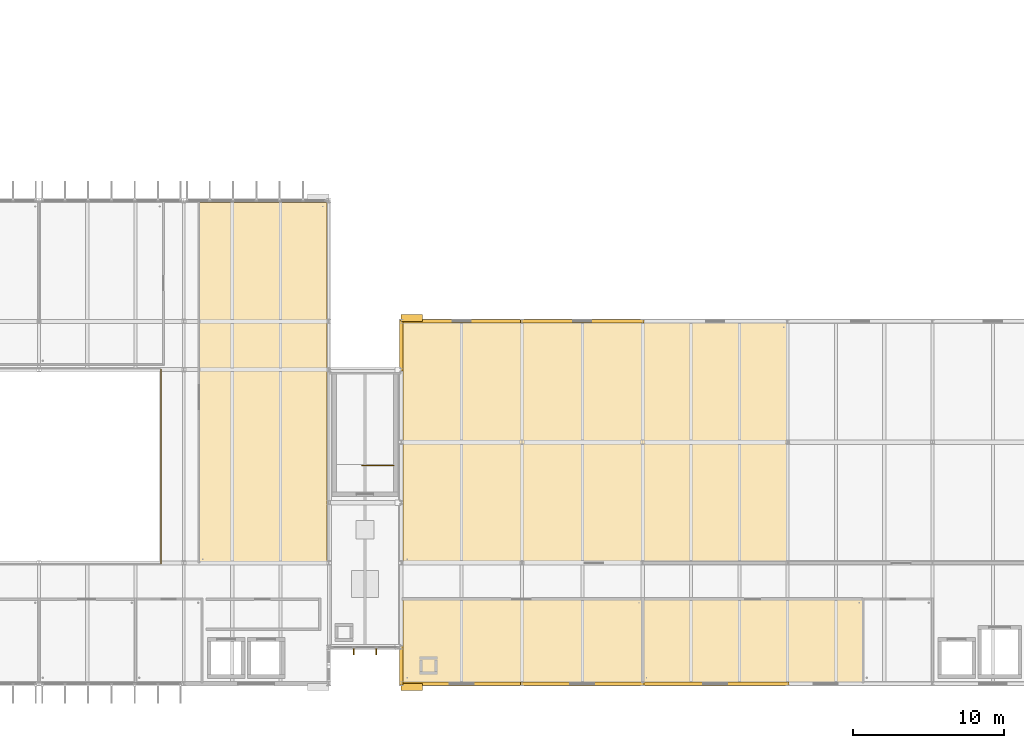
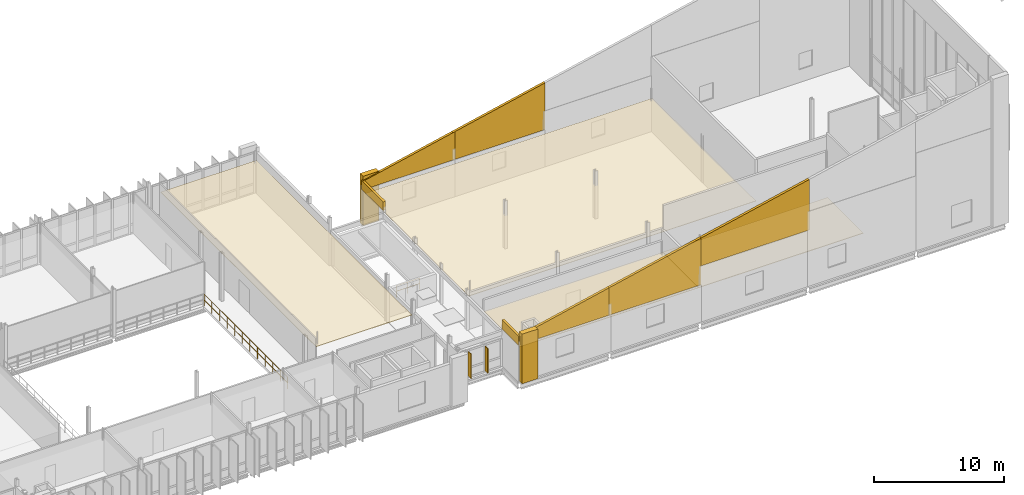
# One storey, part 58 of 59: 13 coverings, 2 railings, 2 shading devices.
"""IFC4 building model written with IfcOpenShell, lengths in metres."""

from ifc_helpers import new_model, si_unit, direction, frame, origin, origin_2d, place, context, subcontext, project, spatial, polyline, rectangle, circle, outline, extrude, material, layer, layer_set, type_object, element, save


model = new_model("IFC4")

# Units and contexts
model_context = context("Model", 3, precision=1e-05, world=origin(), true_north=direction((0.0, 1.0)))
body_context = subcontext(model_context, "Body", "Model", "MODEL_VIEW")
ifc_project = project(units=[si_unit("LENGTHUNIT", "METRE"), si_unit("AREAUNIT", "SQUARE_METRE"), si_unit("VOLUMEUNIT", "CUBIC_METRE"), si_unit("PLANEANGLEUNIT", "RADIAN"), si_unit("MASSUNIT", "GRAM", prefix="KILO")], contexts=[model_context])

# Site, building, storey
site_placement = place(None, origin())
site = spatial("IfcSite", under=ifc_project, at=site_placement, CompositionType="ELEMENT")
building_placement = place(site_placement, origin())
building = spatial("IfcBuilding", under=site, at=building_placement, Name="Dunescarp Central Library", CompositionType="ELEMENT")
storey_placement = place(building_placement, frame((0.0, 0.0, 18.60009765625)))
storey = spatial("IfcBuildingStorey", under=building, at=storey_placement, Name="L04", CompositionType="ELEMENT", Elevation=18.60009765625)

# Coverings
ifc_material_1 = material(Name="Perforated birch acoustic timber baffle", Category="wood")
ifc_layer_1 = layer(ifc_material_1, 0.050048828125)
ifc_layer_set_1 = layer_set([ifc_layer_1], Name="Perforated birch acoustic timber baffle")
covering_type_1 = type_object("IfcCoveringType", Name="ARC-COV-BAFFLE", PredefinedType="CEILING", material=ifc_layer_set_1)
covering_1_placement = place(storey_placement, frame((0.0, 0.0, 3.0498046875)))
element("IfcCovering", 1, at=covering_1_placement, inside=storey, type_object=covering_type_1, Name="L04 ceiling L04 East Stepped Reading Terrace", PredefinedType="CEILING", context=body_context, shape_type="SweptSolid", body=[
    extrude(outline(polyline([(68.179931640625, 12.780029296875), (76.679931640625, 12.780029296875), (76.679931640625, 36.679931640625), (68.179931640625, 36.679931640625), (68.179931640625, 12.780029296875)])), origin(), (0.0, 0.0, 1.0), 0.050048828125),
])
covering_2_placement = place(storey_placement, frame((0.0, 0.0, 3.0498046875)))
element("IfcCovering", 2, at=covering_2_placement, inside=storey, type_object=covering_type_1, Name="L04 ceiling Supervised Rare-Manuscript Reading Room", PredefinedType="CEILING", context=body_context, shape_type="SweptSolid", body=[
    extrude(outline(polyline([(97.580078125, 4.919921875), (112.219970703125, 4.919921875), (112.219970703125, 10.419921875), (97.580078125, 10.419921875), (97.580078125, 4.919921875)])), origin(), (0.0, 0.0, 1.0), 0.050048828125),
])
ifc_material_2 = material(Name="Mineral-fibre acoustic ceiling tile")
ifc_layer_2 = layer(ifc_material_2, 0.0400390625)
ifc_layer_set_2 = layer_set([ifc_layer_2], Name="Mineral-fibre acoustic ceiling tile")
covering_type_2 = type_object("IfcCoveringType", Name="ARC-COV-CEIL40", PredefinedType="CEILING", material=ifc_layer_set_2)
covering_3_placement = place(storey_placement, frame((0.0, 0.0, 3.0498046875)))
element("IfcCovering", 3, at=covering_3_placement, inside=storey, type_object=covering_type_2, Name="L04 ceiling Archival Quarantine & Digitisation Studio", PredefinedType="CEILING", context=body_context, shape_type="SweptSolid", body=[
    extrude(outline(polyline([(81.719970703125, 4.919921875), (97.6201171875, 4.919921875), (97.6201171875, 10.419921875), (81.719970703125, 10.419921875), (81.719970703125, 4.919921875)])), origin(), (0.0, 0.0, 1.0), 0.0400390625),
])
covering_4_placement = place(storey_placement, frame((0.0, 0.0, 3.0498046875)))
element("IfcCovering", 4, at=covering_4_placement, inside=storey, type_object=covering_type_2, Name="L04 ceiling Rare-Book & Municipal Archive Vault", PredefinedType="CEILING", context=body_context, shape_type="SweptSolid", body=[
    extrude(outline(polyline([(81.719970703125, 12.780029296875), (107.219970703125, 12.780029296875), (107.219970703125, 28.679931640625), (81.719970703125, 28.679931640625), (81.719970703125, 12.780029296875)])), origin(), (0.0, 0.0, 1.0), 0.0400390625),
])
ifc_material_3 = material(Name="Glass-fibre reinforced concrete GRC", Category="concrete")
ifc_layer_3 = layer(ifc_material_3, 0.219970703125)
ifc_layer_set_3 = layer_set([ifc_layer_3], Name="Glass-fibre reinforced concrete GRC")
covering_type_3 = type_object("IfcCoveringType", Name="ARC-COV-CLER", PredefinedType="CLADDING", material=ifc_layer_set_3)
covering_5_placement = place(storey_placement, frame((89.68505859375, 4.800048828125, 3.468017578125), z_axis=(0.0, 0.0, 1.0), x_axis=(-1.0, 0.0, 0.0)))
element("IfcCovering", 5, at=covering_5_placement, inside=storey, type_object=covering_type_3, Name="L04 V3 raked clerestory closure CLR-V3-L04-048", PredefinedType="CLADDING", context=body_context, shape_type="SweptSolid", body=[
    extrude(outline(polyline([(0.0, 0.0), (8.170166015625, 0.0), (8.169921875, 0.790771484375), (0.0, 2.60595703125), (0.0, 0.0)])), frame((0.0, 0.10986328125, 0.0), z_axis=(0.0, -1.0, 0.0), x_axis=(1.0, 0.0, 0.0)), (0.0, 0.0, 1.0), 0.219970703125),
])
covering_6_placement = place(storey_placement, frame((97.68505859375, 4.800048828125, 3.468017578125), z_axis=(0.0, 0.0, 1.0), x_axis=(-1.0, 0.0, 0.0)))
element("IfcCovering", 6, at=covering_6_placement, inside=storey, type_object=covering_type_3, Name="L04 V3 raked clerestory closure CLR-V3-L04-049", PredefinedType="CLADDING", context=body_context, shape_type="SweptSolid", body=[
    extrude(outline(polyline([(0.0, 0.0), (8.170166015625, 0.0), (8.169921875, 2.56884765625), (0.0, 4.3837890625), (0.0, 0.0)])), frame((0.0, 0.10986328125, 0.0), z_axis=(0.0, -1.0, 0.0), x_axis=(1.0, 0.0, 0.0)), (0.0, 0.0, 1.0), 0.219970703125),
])
covering_7_placement = place(storey_placement, frame((107.284912109375, 4.800048828125, 5.245849609375), z_axis=(0.0, 0.0, 1.0), x_axis=(-1.0, 0.0, 0.0)))
element("IfcCovering", 7, at=covering_7_placement, inside=storey, type_object=covering_type_3, Name="L04 V3 raked clerestory closure CLR-V3-L04-050", PredefinedType="CLADDING", context=body_context, shape_type="SweptSolid", body=[
    extrude(outline(polyline([(0.0, 0.0), (9.77001953125, 0.0), (9.77001953125, 2.568115234375), (0.0, 4.739013671875), (0.0, 0.0)])), frame((0.0, 0.10986328125, 0.0), z_axis=(0.0, -1.0, 0.0), x_axis=(1.0, 0.0, 0.0)), (0.0, 0.0, 1.0), 0.219970703125),
])
covering_8_placement = place(storey_placement, frame((81.514892578125, 28.800048828125, 3.468017578125), z_axis=(0.0, 0.0, 1.0), x_axis=(1.0, 0.0, 0.0)))
element("IfcCovering", 8, at=covering_8_placement, inside=storey, type_object=covering_type_3, Name="L04 V3 raked clerestory closure CLR-V3-L04-053", PredefinedType="CLADDING", context=body_context, shape_type="SweptSolid", body=[
    extrude(outline(polyline([(0.0, 0.0), (8.170166015625, 0.0), (8.169921875, 2.60595703125), (0.0, 0.790771484375), (0.0, 0.0)])), frame((0.0, 0.10986328125, 0.0), z_axis=(0.0, -1.0, 0.0), x_axis=(1.0, 0.0, 0.0)), (0.0, 0.0, 1.0), 0.219970703125),
])
covering_9_placement = place(storey_placement, frame((89.514892578125, 28.800048828125, 3.468017578125), z_axis=(0.0, 0.0, 1.0), x_axis=(1.0, 0.0, 0.0)))
element("IfcCovering", 9, at=covering_9_placement, inside=storey, type_object=covering_type_3, Name="L04 V3 raked clerestory closure CLR-V3-L04-054", PredefinedType="CLADDING", context=body_context, shape_type="SweptSolid", body=[
    extrude(outline(polyline([(0.0, 0.0), (8.170166015625, 0.0), (8.169921875, 4.3837890625), (0.0, 2.56884765625), (0.0, 0.0)])), frame((0.0, 0.10986328125, 0.0), z_axis=(0.0, -1.0, 0.0), x_axis=(1.0, 0.0, 0.0)), (0.0, 0.0, 1.0), 0.219970703125),
])
covering_10_placement = place(storey_placement, frame((81.60009765625, 4.715087890625, 3.468017578125), z_axis=(0.0, 0.0, 1.0), x_axis=(0.0, 1.0, 0.0)))
element("IfcCovering", 10, at=covering_10_placement, inside=storey, type_object=covering_type_3, Name="L04 V3 raked clerestory closure CLR-V3-L04-058", PredefinedType="CLADDING", context=body_context, shape_type="SweptSolid", body=[
    extrude(outline(polyline([(0.0, 0.0), (2.56982421875, 0.0), (2.570068359375, 0.809814453125), (0.0, 0.809814453125), (0.0, 0.0)])), frame((0.0, 0.10986328125, 0.0), z_axis=(0.0, -1.0, 0.0), x_axis=(1.0, 0.0, 0.0)), (0.0, 0.0, 1.0), 0.219970703125),
])
covering_11_placement = place(storey_placement, frame((81.60009765625, 25.514892578125, 3.468017578125), z_axis=(0.0, 0.0, 1.0), x_axis=(0.0, 1.0, 0.0)))
element("IfcCovering", 11, at=covering_11_placement, inside=storey, type_object=covering_type_3, Name="L04 V3 raked clerestory closure CLR-V3-L04-059", PredefinedType="CLADDING", context=body_context, shape_type="SweptSolid", body=[
    extrude(outline(polyline([(0.0, 0.0), (3.3701171875, 0.0), (3.3701171875, 0.809814453125), (0.0, 0.809814453125), (0.0, 0.0)])), frame((0.0, 0.10986328125, 0.0), z_axis=(0.0, -1.0, 0.0), x_axis=(1.0, 0.0, 0.0)), (0.0, 0.0, 1.0), 0.219970703125),
])
ifc_layer_4 = layer(ifc_material_3, 0.449951171875)
ifc_layer_set_4 = layer_set([ifc_layer_4], Name="Glass-fibre reinforced concrete GRC")
covering_type_4 = type_object("IfcCoveringType", Name="ARC-COV-PORTAL", PredefinedType="CLADDING", material=ifc_layer_set_4)
for number, where, z_axis, x_axis, name in (
    (12, (82.300048828125, 4.580078125, 0.0), (0.0, 0.0, 1.0), (1.0, 0.0, 0.0), "V3 sculpted GRC portal pier PRT-BAND-V3-043"),
    (13, (82.300048828125, 29.02001953125, 0.0), (0.0, 0.0, 1.0), (1.0, 0.0, 0.0), "V3 sculpted GRC portal pier PRT-BAND-V3-044"),
):
    element("IfcCovering", number, at=place(storey_placement, frame(where, z_axis=z_axis, x_axis=x_axis)), inside=storey, type_object=covering_type_4, Name=name, PredefinedType="CLADDING", context=body_context, shape_type="SweptSolid", body=[
        extrude(rectangle(XDim=1.39990234375, YDim=0.449951171875, at=origin_2d()), origin(), (0.0, 0.0, 1.0), 4.656005859375),
    ])

# Railings
ifc_material_4 = material(Name="Stainless steel Grade 316L", Category="steel")
railing_type = type_object("IfcRailingType", Name="ARC-RL-GUARD", PredefinedType="GUARDRAIL", material=ifc_material_4)
railing_1_placement = place(storey_placement, frame((81.10009765625, 19.25, 0.0)))
element("IfcRailing", 14, at=railing_1_placement, inside=storey, type_object=railing_type, Name="L04 ST-3 top well guard 1", PredefinedType="GUARDRAIL", context=body_context, shape_type="SweptSolid", body=[
    extrude(circle(Radius=0.02392578125, at=origin_2d()), frame((0.0, 0.0, 1.076171875), z_axis=(-1.0, 0.0, 0.0), x_axis=(0.0, -1.0, 0.0)), (0.0, 0.0, 1.0), 2.080078125),
    extrude(circle(Radius=0.02392578125, at=origin_2d()), frame((0.0, 0.0, 0.550048828125), z_axis=(-1.0, 0.0, 0.0), x_axis=(0.0, -1.0, 0.0)), (0.0, 0.0, 1.0), 2.080078125),
    extrude(circle(Radius=0.02099609375, at=origin_2d()), origin(), (0.0, 0.0, 1.0), 1.052001953125),
    extrude(circle(Radius=0.02099609375, at=origin_2d()), frame((-1.0400390625, 0.0, 0.0)), (0.0, 0.0, 1.0), 1.052001953125),
    extrude(circle(Radius=0.02099609375, at=origin_2d()), frame((-2.080078125, 0.0, 0.0)), (0.0, 0.0, 1.0), 1.052001953125),
])
railing_2_placement = place(storey_placement, frame((65.679931640625, 12.780029296875, 0.0)))
element("IfcRailing", 15, at=railing_2_placement, inside=storey, type_object=railing_type, Name="L04 void guardrail GRD-ATR-L04-E", PredefinedType="GUARDRAIL", context=body_context, shape_type="SweptSolid", body=[
    extrude(circle(Radius=0.02392578125, at=origin_2d()), frame((0.0, 0.0, 1.076171875), z_axis=(0.0, 1.0, 0.0), x_axis=(-1.0, 0.0, 0.0)), (0.0, 0.0, 1.0), 12.840087890625),
    extrude(circle(Radius=0.02392578125, at=origin_2d()), frame((0.0, 0.0, 0.550048828125), z_axis=(0.0, 1.0, 0.0), x_axis=(-1.0, 0.0, 0.0)), (0.0, 0.0, 1.0), 12.840087890625),
    extrude(circle(Radius=0.02099609375, at=origin_2d()), origin(), (0.0, 0.0, 1.0), 1.052001953125),
    extrude(circle(Radius=0.02099609375, at=origin_2d()), frame((0.0, 1.167236328125, 0.0)), (0.0, 0.0, 1.0), 1.052001953125),
    extrude(circle(Radius=0.02099609375, at=origin_2d()), frame((0.0, 2.33447265625, 0.0)), (0.0, 0.0, 1.0), 1.052001953125),
    extrude(circle(Radius=0.02099609375, at=origin_2d()), frame((0.0, 3.501953125, 0.0)), (0.0, 0.0, 1.0), 1.052001953125),
    extrude(circle(Radius=0.02099609375, at=origin_2d()), frame((0.0, 4.669189453125, 0.0)), (0.0, 0.0, 1.0), 1.052001953125),
    extrude(circle(Radius=0.02099609375, at=origin_2d()), frame((0.0, 5.83642578125, 0.0)), (0.0, 0.0, 1.0), 1.052001953125),
    extrude(circle(Radius=0.02099609375, at=origin_2d()), frame((0.0, 7.003662109375, 0.0)), (0.0, 0.0, 1.0), 1.052001953125),
    extrude(circle(Radius=0.02099609375, at=origin_2d()), frame((0.0, 8.1708984375, 0.0)), (0.0, 0.0, 1.0), 1.052001953125),
    extrude(circle(Radius=0.02099609375, at=origin_2d()), frame((0.0, 9.338134765625, 0.0)), (0.0, 0.0, 1.0), 1.052001953125),
    extrude(circle(Radius=0.02099609375, at=origin_2d()), frame((0.0, 10.505615234375, 0.0)), (0.0, 0.0, 1.0), 1.052001953125),
    extrude(circle(Radius=0.02099609375, at=origin_2d()), frame((0.0, 11.6728515625, 0.0)), (0.0, 0.0, 1.0), 1.052001953125),
    extrude(circle(Radius=0.02099609375, at=origin_2d()), frame((0.0, 12.840087890625, 0.0)), (0.0, 0.0, 1.0), 1.052001953125),
])

# Shading devices
ifc_material_5 = material(Name="Marine-grade anodised aluminium 6063-T6", Category="aluminium")
ifc_layer_5 = layer(ifc_material_5, 0.06005859375)
ifc_layer_set_5 = layer_set([ifc_layer_5], Name="Marine-grade anodised aluminium 6063-T6")
shading_device_type = type_object("IfcShadingDeviceType", Name="ARC-SHD-FIN", PredefinedType="USERDEFINED", material=ifc_layer_set_5)
for number, where, z_axis, x_axis, name in (
    (16, (79.94189453125, 6.93896484375, 0.14990234375), (0.0, 0.0, 1.0), (0.0, -1.0, 0.0), "L04 link sunshade fin SHDF-L04-1110"),
    (17, (78.4580078125, 6.93896484375, 0.14990234375), (0.0, 0.0, 1.0), (0.0, -1.0, 0.0), "L04 link sunshade fin SHDF-L04-1111"),
):
    element("IfcShadingDevice", number, at=place(storey_placement, frame(where, z_axis=z_axis, x_axis=x_axis)), inside=storey, type_object=shading_device_type, Name=name, ObjectType="FIN", PredefinedType="USERDEFINED", context=body_context, shape_type="SweptSolid", body=[
        extrude(rectangle(XDim=0.449951171875, YDim=0.06005859375, at=origin_2d()), origin(), (0.0, 0.0, 1.0), 2.300048828125),
    ])

save(model, "model.ifc")
